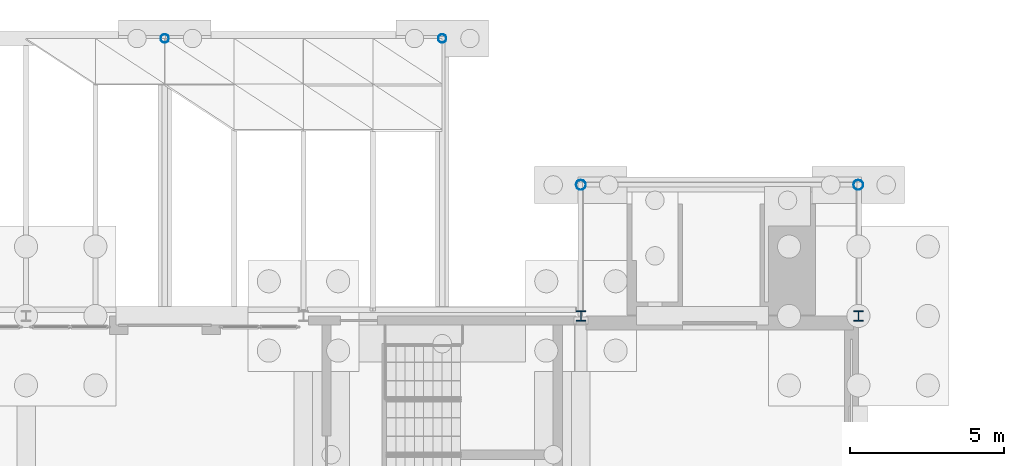
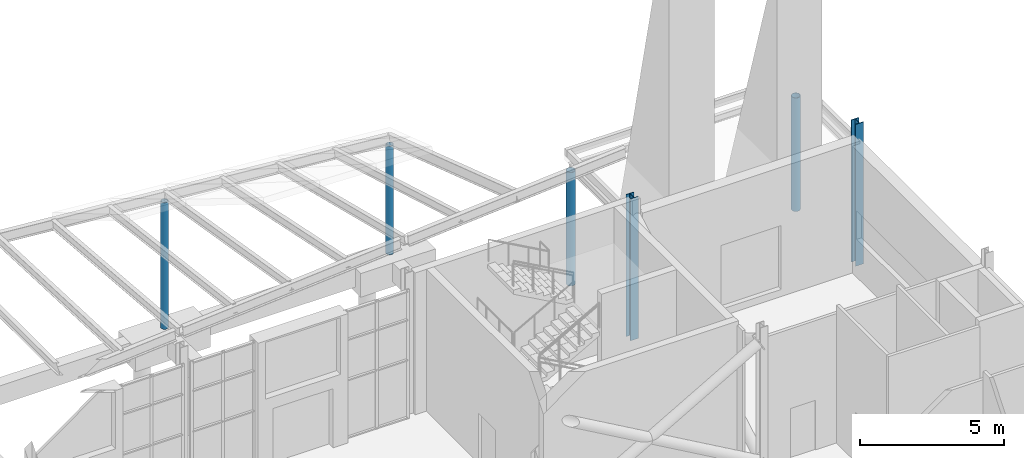
# One storey, part 32 of 139: 6 columns.
"""IFC4 building model written with IfcOpenShell, lengths in metres."""

import ifcopenshell
import ifcopenshell.guid

model = None  # the IFC model being written
_history = None  # IfcOwnerHistory: only IFC2X3 demands one
_inside = {}  # id of a spatial element -> (the spatial element, [elements in it])
_under = {}  # id of a project, library or spatial element -> (it, [spatial elements below it])
_declared = {}  # id of a project -> (the project, [libraries it declares])
_typed = {}  # id of a type object -> (the type object, [elements of that type])
_made_of = {}  # id of a material, layer set ... -> (it, [elements and type objects made of it])


def new_model(schema):
    """Start an empty IFC model of exactly this schema.

    Asked for "IFC4X3", IfcOpenShell would pick the latest addendum, in which some entities
    have other attributes; the version numbers below select the first issue.
    IFC2X3 requires an IfcOwnerHistory on every rooted entity: one is made here for all.
    """
    global model, _history
    if schema == "IFC4X3":
        model = ifcopenshell.file(schema_version=(4, 3, 0, 0))
    else:
        model = ifcopenshell.file(schema=schema)
    _inside.clear()
    _under.clear()
    _declared.clear()
    _typed.clear()
    _made_of.clear()
    _history = None
    if model.schema == "IFC2X3":
        org = make("IfcOrganization", Name="unknown")
        user = make(
            "IfcPersonAndOrganization",
            ThePerson=make("IfcPerson", FamilyName="unknown"),
            TheOrganization=org,
        )
        app = make(
            "IfcApplication",
            ApplicationDeveloper=org,
            Version="unknown",
            ApplicationFullName="unknown",
            ApplicationIdentifier="unknown",
        )
        _history = make(
            "IfcOwnerHistory",
            OwningUser=user,
            OwningApplication=app,
            ChangeAction="ADDED",
            CreationDate=0,
        )
    return model


def make(cls, **values):
    """One entity of the class cls with the attributes given. An attribute that is None is left unset."""
    return model.create_entity(
        cls, **{name: value for name, value in values.items() if value is not None}
    )


def rooted(cls, **values):
    """An entity with a GlobalId (a new one), such as an element, a storey or a relation."""
    return make(cls, GlobalId=ifcopenshell.guid.new(), OwnerHistory=_history, **values)


def si_unit(unit_type, name, prefix=None):
    """IfcSIUnit, for example si_unit("LENGTHUNIT", "METRE", prefix="MILLI")."""
    return make("IfcSIUnit", UnitType=unit_type, Prefix=prefix, Name=name)


def assignment(units):
    """IfcUnitAssignment: the units of a project."""
    return None if units is None else make("IfcUnitAssignment", Units=units)


def point(xyz):
    """IfcCartesianPoint."""
    return None if xyz is None else make("IfcCartesianPoint", Coordinates=xyz)


def direction(xyz):
    """IfcDirection."""
    return None if xyz is None else make("IfcDirection", DirectionRatios=xyz)


def frame(location, z_axis=None, x_axis=None):
    """IfcAxis2Placement3D, a coordinate frame: its origin and axes. An axis left out is left unset."""
    return make(
        "IfcAxis2Placement3D",
        Location=point(location),
        Axis=direction(z_axis),
        RefDirection=direction(x_axis),
    )


def frame_2d(location, x_axis=None):
    """IfcAxis2Placement2D, a coordinate frame in the plane: its origin and x axis."""
    return make(
        "IfcAxis2Placement2D", Location=point(location), RefDirection=direction(x_axis)
    )


def origin():
    """The frame at (0, 0, 0) with its axes left unset."""
    return frame((0.0, 0.0, 0.0))


def origin_2d():
    """The frame at (0, 0) in the plane with its x axis left unset."""
    return frame_2d((0.0, 0.0))


def place(relative_to, where):
    """IfcLocalPlacement: puts the frame where relative to a parent placement (None: the world)."""
    return make(
        "IfcLocalPlacement", PlacementRelTo=relative_to, RelativePlacement=where
    )


def context(
    kind, dimensions, precision=None, world=None, true_north=None, identifier=None
):
    """IfcGeometricRepresentationContext, for example the 3D "Model" context."""
    return make(
        "IfcGeometricRepresentationContext",
        ContextIdentifier=identifier,
        ContextType=kind,
        CoordinateSpaceDimension=dimensions,
        Precision=precision,
        WorldCoordinateSystem=world,
        TrueNorth=true_north,
    )


def subcontext(parent, identifier, kind, view, scale=None):
    """IfcGeometricRepresentationSubContext, for example "Body" below "Model"."""
    return make(
        "IfcGeometricRepresentationSubContext",
        ContextIdentifier=identifier,
        ContextType=kind,
        ParentContext=parent,
        TargetScale=scale,
        TargetView=view,
    )


def project(units=None, contexts=None):
    """IfcProject with its units and contexts."""
    return rooted(
        "IfcProject",
        Name="project",
        RepresentationContexts=contexts,
        UnitsInContext=assignment(units),
    )


def spatial(cls, under=None, at=None, **own):
    """A site, building, storey or space (cls), placed at a placement, below another one or the project."""
    s = rooted(cls, ObjectPlacement=at, **own)
    if under is not None:
        _under.setdefault(under.id(), (under, []))[1].append(s)
    return s


def profile(cls, at=None, kind="AREA", **sizes):
    """A parametric profile (cls). Its sizes go by their IFC names, for example OverallWidth=200.0."""
    return make(cls, ProfileType=kind, Position=at, **sizes)


def hollow_circle(**sizes):
    """IfcCircleHollowProfileDef."""
    return profile("IfcCircleHollowProfileDef", **sizes)


def i_section(**sizes):
    """IfcIShapeProfileDef."""
    return profile("IfcIShapeProfileDef", **sizes)


def extrude(swept, where, along, depth):
    """IfcExtrudedAreaSolid: the profile swept, set in the frame where, extruded along a direction by depth."""
    return make(
        "IfcExtrudedAreaSolid",
        SweptArea=swept,
        Position=where,
        ExtrudedDirection=direction(along),
        Depth=depth,
    )


def shape(context_of_items, identifier, shape_type, items):
    """IfcShapeRepresentation: the items that make up one representation, for example the "Body"."""
    return make(
        "IfcShapeRepresentation",
        ContextOfItems=context_of_items,
        RepresentationIdentifier=identifier,
        RepresentationType=shape_type,
        Items=items,
    )


def material(Name=None, Category=None):
    """IfcMaterial."""
    return make("IfcMaterial", Name=Name, Category=Category)


def material_profile(
    of_material, cross_section, Name=None, Category=None, Priority=None
):
    """IfcMaterialProfile: a cross section and its material."""
    return make(
        "IfcMaterialProfile",
        Name=Name,
        Material=of_material,
        Profile=cross_section,
        Priority=Priority,
        Category=Category,
    )


def profile_set(profiles, Name=None, composite=None):
    """IfcMaterialProfileSet."""
    return make(
        "IfcMaterialProfileSet",
        Name=Name,
        MaterialProfiles=profiles,
        CompositeProfile=composite,
    )


def made_of(thing, what):
    """Note that an element or type object is made of a material, layer set ...; save() writes the relation."""
    if what is not None:
        _made_of.setdefault(what.id(), (what, []))[1].append(thing)
    return thing


def type_object(cls, material=None, **own):
    """A type object (cls), such as IfcWallType, which elements share."""
    return made_of(rooted(cls, **own), material)


def element(
    cls,
    number,
    at=None,
    inside=None,
    cuts=None,
    type_object=None,
    material=None,
    context=None,
    identifier="Body",
    shape_type=None,
    held_by="IfcProductDefinitionShape",
    body=None,
    shapes=None,
    **own,
):
    """One element of the class cls, such as IfcWall. Its Tag is "e" and its number.

    at: its placement. inside: the storey or other place that contains it. cuts: it is an
    opening in that element (IfcRelVoidsElement). A single representation is given by context,
    identifier, shape_type and body (its items); several are given by shapes. held_by: the class
    of the entity that holds the representations. save() writes the other relations.
    """
    e = rooted(cls, Tag="e%d" % number, ObjectPlacement=at, **own)
    if body is not None:
        shapes = [shape(context, identifier, shape_type, body)]
    if shapes is not None:
        e.Representation = make(held_by, Representations=shapes)
    if inside is not None:
        _inside.setdefault(inside.id(), (inside, []))[1].append(e)
    if cuts is not None:
        rooted(
            "IfcRelVoidsElement", RelatingBuildingElement=cuts, RelatedOpeningElement=e
        )
    if type_object is not None:
        _typed.setdefault(type_object.id(), (type_object, []))[1].append(e)
    return made_of(e, material)


def aggregate(whole, parts):
    """IfcRelAggregates: a whole, such as a stair, and the parts it consists of."""
    return rooted("IfcRelAggregates", RelatingObject=whole, RelatedObjects=parts)


def save(model, path):
    """Write the relations noted so far, then the file.

    IfcRelAggregates (storeys below a building ...), IfcRelContainedInSpatialStructure (elements
    in a storey), IfcRelDefinesByType, IfcRelAssociatesMaterial and IfcRelDeclares: one each for
    every whole, place, type object, material and project.
    """
    for whole, parts in _under.values():
        aggregate(whole, parts)
    for where, things in _inside.values():
        rooted(
            "IfcRelContainedInSpatialStructure",
            RelatedElements=things,
            RelatingStructure=where,
        )
    for kind, things in _typed.values():
        rooted("IfcRelDefinesByType", RelatedObjects=things, RelatingType=kind)
    for what, things in _made_of.values():
        rooted("IfcRelAssociatesMaterial", RelatedObjects=things, RelatingMaterial=what)
    for by, libraries in _declared.values():
        rooted("IfcRelDeclares", RelatingContext=by, RelatedDefinitions=libraries)
    model.write(path)


model = new_model("IFC4")

# Units and contexts
model_context = context("Model", 3, precision=1e-05, world=origin(), true_north=direction((0.0, 1.0)))
body_context = subcontext(model_context, "Body", "Model", "MODEL_VIEW")
ifc_project = project(units=[si_unit("LENGTHUNIT", "METRE"), si_unit("AREAUNIT", "SQUARE_METRE"), si_unit("VOLUMEUNIT", "CUBIC_METRE"), si_unit("PLANEANGLEUNIT", "RADIAN"), si_unit("MASSUNIT", "GRAM", prefix="KILO")], contexts=[model_context])

# Site, building, storey
site_placement = place(None, origin())
site = spatial("IfcSite", under=ifc_project, at=site_placement, CompositionType="ELEMENT")
building_placement = place(site_placement, origin())
building = spatial("IfcBuilding", under=site, at=building_placement, Name="Shorebreak Coast Museum", CompositionType="ELEMENT")
storey_placement = place(building_placement, origin())
storey = spatial("IfcBuildingStorey", under=building, at=storey_placement, Name="L00", CompositionType="ELEMENT", Elevation=0.0)

# Columns
ifc_material_1 = material(Name="Steel Grade C350L0", Category="steel")
ifc_material_profile_1 = material_profile(ifc_material_1, hollow_circle(Radius=0.161865234375, WallThickness=0.009521484375, at=origin_2d()), Name="323.9x9.5 CHS")
ifc_profile_set_1 = profile_set([ifc_material_profile_1], Name="Steel Grade C350L0")
column_type_1 = type_object("IfcColumnType", Name="Arcade column 323.9x9.5 CHS", PredefinedType="COLUMN", material=ifc_profile_set_1)
for number, where, z_axis, x_axis, name in (
    (1, (108.0, 121.25, -0.300048828125), (0.0, 0.0, 1.0), (1.0, 0.0, 0.0), "Arcade column north 3"),
    (2, (117.0, 121.25, -0.300048828125), (0.0, 0.0, 1.0), (1.0, 0.0, 0.0), "Arcade column north 4"),
):
    element("IfcColumn", number, at=place(storey_placement, frame(where, z_axis=z_axis, x_axis=x_axis)), inside=storey, type_object=column_type_1, Name=name, PredefinedType="COLUMN", context=body_context, shape_type="SweptSolid", body=[
        extrude(hollow_circle(Radius=0.161865234375, WallThickness=0.009521484375, at=origin_2d()), origin(), (0.0, 0.0, 1.0), 4.802001953125),
    ])
ifc_material_2 = material(Name="Steel Grade C350L0", Category="steel")
ifc_material_profile_2 = material_profile(ifc_material_2, hollow_circle(Radius=0.136474609375, WallThickness=0.00927734375, at=origin_2d()), Name="273.1x9.3 CHS")
ifc_profile_set_2 = profile_set([ifc_material_profile_2], Name="Steel Grade C350L0")
column_type_2 = type_object("IfcColumnType", Name="Canopy post 273.1x9.3 CHS", PredefinedType="COLUMN", material=ifc_profile_set_2)
column_1_placement = place(storey_placement, frame((94.5, 126.0, -0.300048828125), z_axis=(0.0, 0.0, 1.0), x_axis=(1.0, 0.0, 0.0)))
element("IfcColumn", 3, at=column_1_placement, inside=storey, type_object=column_type_2, Name="Canopy post ENT-N 4", PredefinedType="COLUMN", context=body_context, shape_type="SweptSolid", body=[
    extrude(hollow_circle(Radius=0.136474609375, WallThickness=0.00927734375, at=origin_2d()), origin(), (0.0, 0.0, 1.0), 5.348388671875),
])
column_2_placement = place(storey_placement, frame((103.5, 126.0, -0.300048828125), z_axis=(0.0, 0.0, 1.0), x_axis=(1.0, 0.0, 0.0)))
element("IfcColumn", 4, at=column_2_placement, inside=storey, type_object=column_type_2, Name="Canopy post ENT-N 5", PredefinedType="COLUMN", context=body_context, shape_type="SweptSolid", body=[
    extrude(hollow_circle(Radius=0.136474609375, WallThickness=0.00927734375, at=origin_2d()), origin(), (0.0, 0.0, 1.0), 4.58837890625),
])
ifc_material_3 = material(Name="Steel Grade 300", Category="steel")
ifc_material_profile_3 = material_profile(ifc_material_3, i_section(OverallWidth=0.31103515625, OverallDepth=0.3271484375, WebThickness=0.015625, FlangeThickness=0.02490234375, FilletRadius=0.0166015625, at=origin_2d()), Name="310UC158")
ifc_profile_set_3 = profile_set([ifc_material_profile_3], Name="Steel Grade 300")
column_type_3 = type_object("IfcColumnType", Name="Column 310UC158", PredefinedType="COLUMN", material=ifc_profile_set_3)
for number, where, z_axis, x_axis, name in (
    (5, (108.0, 117.0, 0.0), (0.0, 0.0, 1.0), (1.0, 0.0, 0.0), "Column L00 13P"),
    (6, (117.0, 117.0, 0.0), (0.0, 0.0, 1.0), (1.0, 0.0, 0.0), "Column L00 14P"),
):
    element("IfcColumn", number, at=place(storey_placement, frame(where, z_axis=z_axis, x_axis=x_axis)), inside=storey, type_object=column_type_3, Name=name, PredefinedType="COLUMN", context=body_context, shape_type="SweptSolid", body=[
        extrude(i_section(OverallWidth=0.31103515625, OverallDepth=0.3271484375, WebThickness=0.015625, FlangeThickness=0.02490234375, FilletRadius=0.0166015625, at=origin_2d()), origin(), (0.0, 0.0, 1.0), 6.0),
    ])

save(model, "model.ifc")
